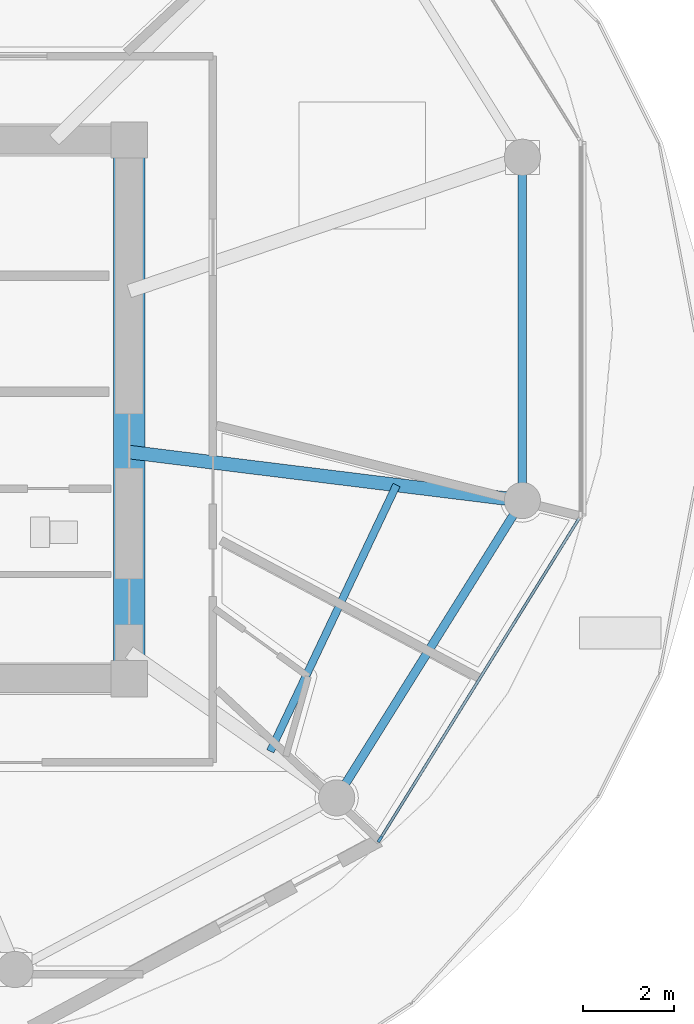
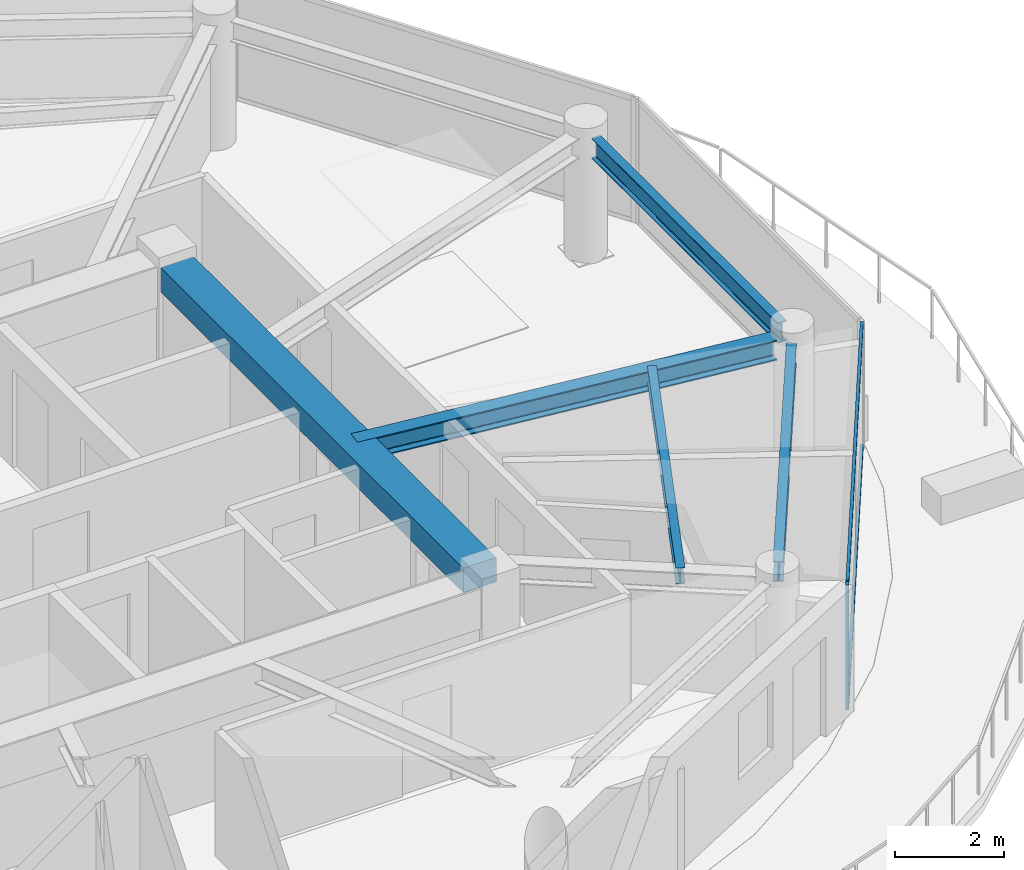
# One storey, part 3 of 28: 5 beams, 3 members, 1 element without a shape of its own.
"""IFC4 building model written with IfcOpenShell, lengths in metres."""

from ifc_helpers import new_model, si_unit, direction, frame, origin, origin_2d, place, context, subcontext, project, spatial, rectangle, i_section, extrude, source, transform, mapped, material, layer, layer_set, material_profile, profile_set, type_object, type_shapes, element, aggregate, save


model = new_model("IFC4")

# Units and contexts
model_context = context("Model", 3, precision=1e-05, world=origin(), true_north=direction((0.0, 1.0)))
body_context = subcontext(model_context, "Body", "Model", "MODEL_VIEW")
ifc_project = project(units=[si_unit("LENGTHUNIT", "METRE"), si_unit("AREAUNIT", "SQUARE_METRE"), si_unit("VOLUMEUNIT", "CUBIC_METRE"), si_unit("PLANEANGLEUNIT", "RADIAN"), si_unit("MASSUNIT", "GRAM", prefix="KILO")], contexts=[model_context])

# Site, building, storey
site_placement = place(None, origin())
site = spatial("IfcSite", under=ifc_project, at=site_placement, CompositionType="ELEMENT")
building_placement = place(site_placement, origin())
building = spatial("IfcBuilding", under=site, at=building_placement, Name="Norrkilde Senior Care Towers", CompositionType="ELEMENT")
storey_placement = place(building_placement, frame((0.0, 0.0, 134.300048828125)))
storey = spatial("IfcBuildingStorey", under=building, at=storey_placement, Name="L41", CompositionType="ELEMENT", Elevation=134.300048828125)

# Beams
ifc_material_1 = material(Name="Concrete C60/75", Category="concrete")
ifc_material_profile_1 = material_profile(ifc_material_1, rectangle(XDim=0.699951171875, YDim=0.550048828125, at=origin_2d()), Name="RC BM 700x550")
ifc_profile_set_1 = profile_set([ifc_material_profile_1], Name="Concrete C60/75")
beam_type_1 = type_object("IfcBeamType", Name="Core Portal Coupling Beam 700x550", PredefinedType="USERDEFINED", material=ifc_profile_set_1)
shared_shape_1 = source(origin(), body_context, "Body", "SweptSolid", [
    extrude(rectangle(XDim=0.699951171875, YDim=0.550048828125, at=origin_2d()), origin(), (0.0, 0.0, 1.0), 11.14013671875),
])
type_shapes(beam_type_1, [shared_shape_1])
beam_1_placement = place(storey_placement, frame((-20.35009765625, -5.570068359375, 2.534912109375), z_axis=(0.0, 1.0, 0.0), x_axis=(-1.0, 0.0, 0.0)))
element("IfcBeam", 1, at=beam_1_placement, inside=storey, type_object=beam_type_1, Name="L41 Core W E Coupling Girder", ObjectType="GIRDER", PredefinedType="USERDEFINED", context=body_context, shape_type="MappedRepresentation", body=[
    mapped(shared_shape_1, transform((0.0, 0.0, 0.0), x_axis=(1.0, 0.0, 0.0), y_axis=(0.0, 1.0, 0.0), z_axis=(0.0, 0.0, 1.0), scale=1.0)),
])
ifc_material_2 = material(Name="Steel S355", Category="steel")
ifc_material_profile_2 = material_profile(ifc_material_2, i_section(OverallWidth=0.18994140625, OverallDepth=0.449951171875, WebThickness=0.009521484375, FlangeThickness=0.0146484375, FilletRadius=0.02099609375, at=origin_2d()), Name="IPE 450")
ifc_profile_set_2 = profile_set([ifc_material_profile_2], Name="Steel S355")
beam_type_2 = type_object("IfcBeamType", Name="Perimeter Ring Spandrel Z3 IPE450", PredefinedType="SPANDREL", material=ifc_profile_set_2)
shared_shape_2 = source(origin(), body_context, "Body", "SweptSolid", [
    extrude(i_section(OverallWidth=0.18994140625, OverallDepth=0.449951171875, WebThickness=0.009521484375, FlangeThickness=0.0146484375, FilletRadius=0.02099609375, at=origin_2d()), origin(), (0.0, 0.0, 1.0), 6.86328125),
])
beam_2_placement = place(storey_placement, frame((-11.6650390625, -1.65625, 2.5849609375), z_axis=(0.0, 1.0, 0.0), x_axis=(-1.0, 0.0, 0.0)))
element("IfcBeam", 2, at=beam_2_placement, inside=storey, type_object=beam_type_2, Name="L41 Drum W Perimeter Spandrel 12", PredefinedType="SPANDREL", context=body_context, shape_type="MappedRepresentation", body=[
    mapped(shared_shape_2, transform((0.0, 0.0, 0.0), x_axis=(1.0, 0.0, 0.0), y_axis=(0.0, 1.0, 0.0), z_axis=(0.0, 0.0, 1.0), scale=1.0)),
])
shared_shape_3 = source(origin(), body_context, "Body", "SweptSolid", [
    extrude(i_section(OverallWidth=0.18994140625, OverallDepth=0.449951171875, WebThickness=0.009521484375, FlangeThickness=0.0146484375, FilletRadius=0.02099609375, at=origin_2d()), origin(), (0.0, 0.0, 1.0), 7.023193359375),
])
type_shapes(beam_type_2, [shared_shape_2, shared_shape_3])
beam_3_placement = place(storey_placement, frame((-15.57666015625, -8.2783203125, 2.5849609375), z_axis=(0.529805197269, 0.848119362441, 0.0), x_axis=(-0.848119362441, 0.529805197269, 0.0)))
element("IfcBeam", 3, at=beam_3_placement, inside=storey, type_object=beam_type_2, Name="L41 Drum W Perimeter Spandrel 11", PredefinedType="SPANDREL", context=body_context, shape_type="MappedRepresentation", body=[
    mapped(shared_shape_3, transform((0.0, 0.0, 0.0), x_axis=(1.0, 0.0, 0.0), y_axis=(0.0, 1.0, 0.0), z_axis=(0.0, 0.0, 1.0), scale=1.0)),
])
ifc_material_profile_3 = material_profile(ifc_material_2, i_section(OverallWidth=0.300048828125, OverallDepth=0.449951171875, WebThickness=0.013916015625, FlangeThickness=0.02587890625, FilletRadius=0.027099609375, at=origin_2d()), Name="HEB 450")
ifc_profile_set_3 = profile_set([ifc_material_profile_3], Name="Steel S355")
beam_type_3 = type_object("IfcBeamType", Name="Radial Floor Beam Z3 HEB450", PredefinedType="BEAM", material=ifc_profile_set_3)
shared_shape_4 = source(origin(), body_context, "Body", "SweptSolid", [
    extrude(i_section(OverallWidth=0.300048828125, OverallDepth=0.449951171875, WebThickness=0.013916015625, FlangeThickness=0.02587890625, FilletRadius=0.027099609375, at=origin_2d()), origin(), (0.0, 0.0, 1.0), 8.390869140625),
])
type_shapes(beam_type_3, [shared_shape_4])
beam_4_placement = place(storey_placement, frame((-20.35009765625, -0.9443359375, 2.5849609375), z_axis=(0.99246916403, -0.122494728249, 0.0), x_axis=(0.122494728249, 0.99246916403, 0.0)))
element("IfcBeam", 4, at=beam_4_placement, inside=storey, type_object=beam_type_3, Name="L41 Drum W Radial Floor Beam 12", PredefinedType="BEAM", context=body_context, shape_type="MappedRepresentation", body=[
    mapped(shared_shape_4, transform((0.0, 0.0, 0.0), x_axis=(1.0, 0.0, 0.0), y_axis=(0.0, 1.0, 0.0), z_axis=(0.0, 0.0, 1.0), scale=1.0)),
])
ifc_material_profile_4 = material_profile(ifc_material_2, i_section(OverallWidth=0.169921875, OverallDepth=0.360107421875, WebThickness=0.008056640625, FlangeThickness=0.0126953125, FilletRadius=0.01806640625, at=origin_2d()), Name="IPE 360")
ifc_profile_set_4 = profile_set([ifc_material_profile_4], Name="Steel S355")
beam_type_4 = type_object("IfcBeamType", Name="Secondary Floor Joist IPE360", PredefinedType="JOIST", material=ifc_profile_set_4)
shared_shape_5 = source(origin(), body_context, "Body", "SweptSolid", [
    extrude(i_section(OverallWidth=0.169921875, OverallDepth=0.360107421875, WebThickness=0.008056640625, FlangeThickness=0.0126953125, FilletRadius=0.01806640625, at=origin_2d()), origin(), (0.0, 0.0, 1.0), 6.50927734375),
])
type_shapes(beam_type_4, [shared_shape_5])
beam_5_placement = place(storey_placement, frame((-17.23388671875, -7.5546875, 2.6298828125), z_axis=(0.428544169129, 0.90352083269, 0.0), x_axis=(-0.90352083269, 0.428544169129, 0.0)))
element("IfcBeam", 5, at=beam_5_placement, inside=storey, type_object=beam_type_4, Name="L41 Drum W Secondary Floor Joist 4", PredefinedType="JOIST", context=body_context, shape_type="MappedRepresentation", body=[
    mapped(shared_shape_5, transform((0.0, 0.0, 0.0), x_axis=(1.0, 0.0, 0.0), y_axis=(0.0, 1.0, 0.0), z_axis=(0.0, 0.0, 1.0), scale=1.0)),
])

# Curtain wall, members
ifc_material_3 = material(Name="Triple Low-E Insulated Glazing", Category="glass")
ifc_layer = layer(ifc_material_3, 0.18994140625)
ifc_layer_set = layer_set([ifc_layer], Name="Triple Low-E Insulated Glazing")
curtain_wall_type = type_object("IfcCurtainWallType", Name="CW4 Zone 3 Senior Residence Curtain Wall", PredefinedType="NOTDEFINED", material=ifc_layer_set)
curtain_wall_placement = place(storey_placement, origin())
curtain_wall = element("IfcCurtainWall", 6, at=curtain_wall_placement, inside=storey, type_object=curtain_wall_type, Name="L41 Drum W Curtain Wall 10", PredefinedType="NOTDEFINED")
ifc_material_4 = material(Name="Anodised Aluminium", Category="aluminium")
ifc_material_profile_5 = material_profile(ifc_material_4, rectangle(XDim=0.06494140625, YDim=0.14990234375, at=origin_2d()), Name="ALU MULL 65x150")
ifc_profile_set_5 = profile_set([ifc_material_profile_5], Name="Anodised Aluminium")
member_type_1 = type_object("IfcMemberType", Name="Curtain Wall Mullion Z3-Z4 65x150", PredefinedType="MULLION", material=ifc_profile_set_5)
shared_shape_6 = source(origin(), body_context, "Body", "SweptSolid", [
    extrude(rectangle(XDim=0.06494140625, YDim=0.14990234375, at=origin_2d()), origin(), (0.0, 0.0, 1.0), 2.81005859375),
])
type_shapes(member_type_1, [shared_shape_6])
member_1_placement = place(storey_placement, frame((-14.809814453125, -9.49658203125, 0.0), z_axis=(0.0, 0.0, 1.0), x_axis=(0.84963405474, -0.52737270789, 0.0)))
member_1 = element("IfcMember", 7, at=member_1_placement, type_object=member_type_1, Name="CW-4 mullion 2", PredefinedType="MULLION", context=body_context, shape_type="MappedRepresentation", body=[
    mapped(shared_shape_6, transform((0.0, 0.0, 0.0), x_axis=(1.0, 0.0, 0.0), y_axis=(0.0, 1.0, 0.0), z_axis=(0.0, 0.0, 1.0), scale=1.0)),
])
ifc_material_profile_6 = material_profile(ifc_material_4, rectangle(XDim=0.06005859375, YDim=0.1201171875, at=origin_2d()), Name="ALU TRAN 60x120")
ifc_profile_set_6 = profile_set([ifc_material_profile_6], Name="Anodised Aluminium")
member_type_2 = type_object("IfcMemberType", Name="Curtain Wall Transom Typical 60x120", PredefinedType="USERDEFINED", material=ifc_profile_set_6)
shared_shape_7 = source(origin(), body_context, "Body", "SweptSolid", [
    extrude(rectangle(XDim=0.06005859375, YDim=0.1201171875, at=origin_2d()), origin(), (0.0, 0.0, 1.0), 8.301513671875),
])
type_shapes(member_type_2, [shared_shape_7])
member_2_placement = place(storey_placement, frame((-10.414794921875, -2.415771484375, 0.030029296875), z_axis=(-0.527368718394, -0.849636531029, 0.0), x_axis=(0.849636531029, -0.527368718394, 0.0)))
member_2 = element("IfcMember", 8, at=member_2_placement, type_object=member_type_2, Name="CW-4 transom 1.1", ObjectType="TRANSOM", PredefinedType="USERDEFINED", context=body_context, shape_type="MappedRepresentation", body=[
    mapped(shared_shape_7, transform((0.0, 0.0, 0.0), x_axis=(1.0, 0.0, 0.0), y_axis=(0.0, 1.0, 0.0), z_axis=(0.0, 0.0, 1.0), scale=1.0)),
])
member_3_placement = place(storey_placement, frame((-10.414794921875, -2.415771484375, 2.780029296875), z_axis=(-0.527368718394, -0.849636531029, 0.0), x_axis=(0.849636531029, -0.527368718394, 0.0)))
member_3 = element("IfcMember", 9, at=member_3_placement, type_object=member_type_2, Name="CW-4 transom 1.2", ObjectType="TRANSOM", PredefinedType="USERDEFINED", context=body_context, shape_type="MappedRepresentation", body=[
    mapped(shared_shape_7, transform((0.0, 0.0, 0.0), x_axis=(1.0, 0.0, 0.0), y_axis=(0.0, 1.0, 0.0), z_axis=(0.0, 0.0, 1.0), scale=1.0)),
])
aggregate(curtain_wall, [member_1, member_2, member_3])

save(model, "model.ifc")
